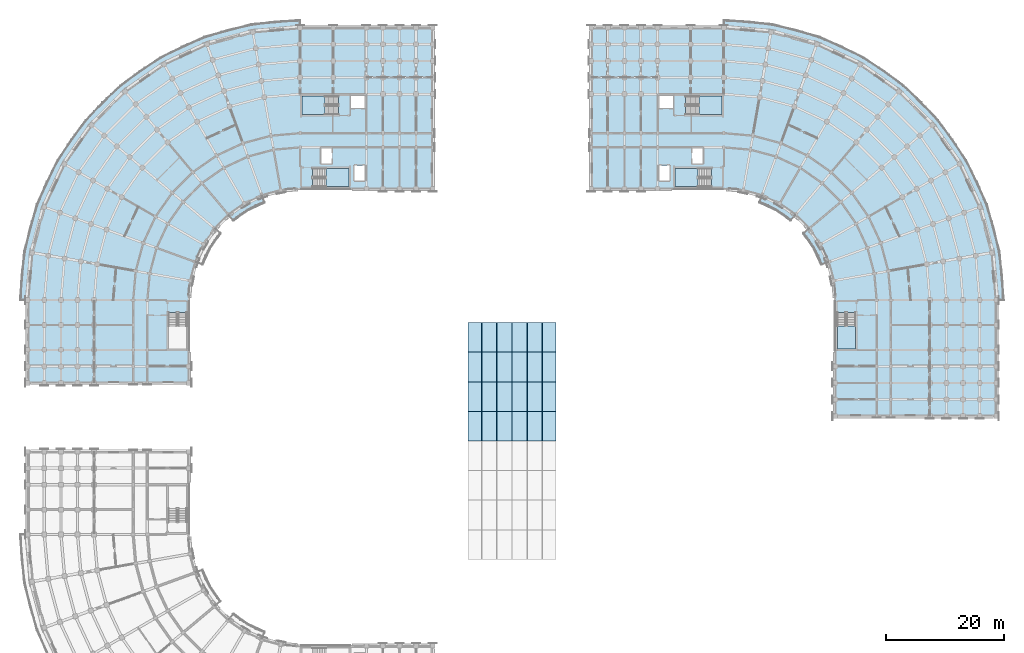
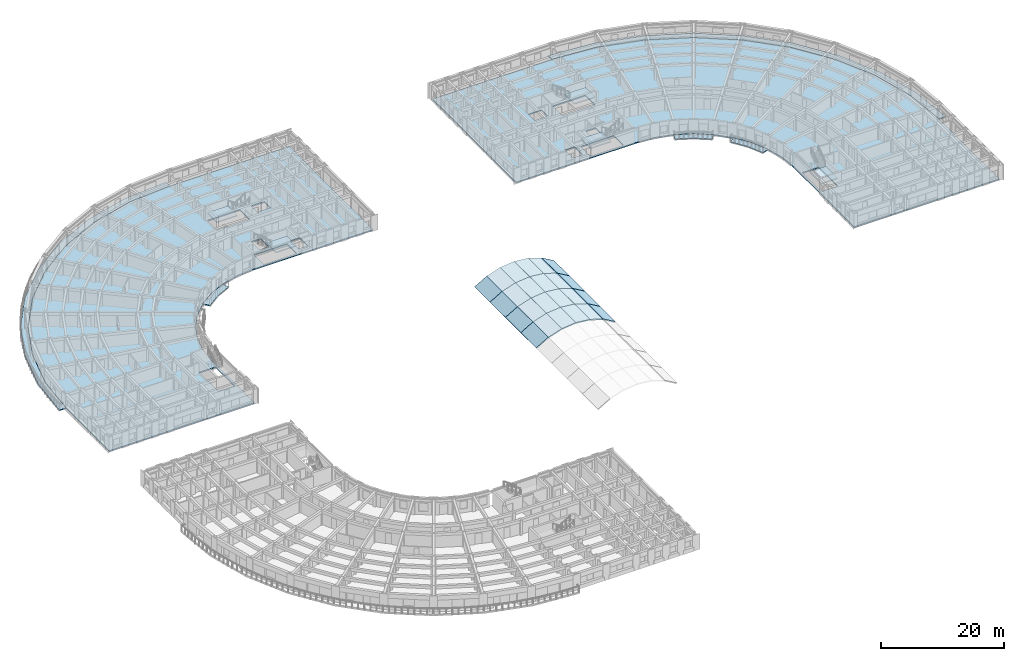
# One storey, part 14 of 54: 36 slabs, 5 elements without a shape of their own.
"""IFC4 building model written with IfcOpenShell, lengths in metres."""

from ifc_helpers import new_model, si_unit, direction, frame, origin, place, context, subcontext, project, spatial, polyline, outline, extrude, material, layer, layer_set, type_object, element, aggregate, save


model = new_model("IFC4")

# Units and contexts
model_context = context("Model", 3, precision=1e-05, world=origin(), true_north=direction((0.0, 1.0)))
body_context = subcontext(model_context, "Body", "Model", "MODEL_VIEW")
ifc_project = project(units=[si_unit("LENGTHUNIT", "METRE"), si_unit("AREAUNIT", "SQUARE_METRE"), si_unit("VOLUMEUNIT", "CUBIC_METRE"), si_unit("PLANEANGLEUNIT", "RADIAN"), si_unit("MASSUNIT", "GRAM", prefix="KILO")], contexts=[model_context])

# Site, building, storey
site_placement = place(None, origin())
site = spatial("IfcSite", under=ifc_project, at=site_placement, CompositionType="ELEMENT")
building_placement = place(site_placement, origin())
building = spatial("IfcBuilding", under=site, at=building_placement, Name="Kiranvali Square Residences", CompositionType="ELEMENT")
storey_placement = place(building_placement, frame((0.0, 0.0, 15.0)))
storey = spatial("IfcBuildingStorey", under=building, at=storey_placement, Name="L04", CompositionType="ELEMENT", Elevation=15.0)

# Slabs
ifc_material_1 = material(Name="Concrete M35 (35 MPa)", Category="concrete")
ifc_layer_1 = layer(ifc_material_1, 0.179931640625)
ifc_layer_set_1 = layer_set([ifc_layer_1], Name="Concrete M35 (35 MPa)")
slab_type_1 = type_object("IfcSlabType", Name="SLB-BAL-180", PredefinedType="FLOOR", material=ifc_layer_set_1)
slab_1_placement = place(storey_placement, frame((0.0, 0.0, -0.179931640625)))
element("IfcSlab", 1, at=slab_1_placement, inside=storey, type_object=slab_type_1, Name="Block A L04 continuous curved corner balcony slab", PredefinedType="FLOOR", context=body_context, shape_type="SweptSolid", body=[
    extrude(outline(polyline([(48.199951171875, 135.050048828125), (39.9951171875, 134.332275390625), (32.03955078125, 132.200439453125), (24.574951171875, 128.7197265625), (17.828369140625, 123.99560546875), (12.00439453125, 118.171630859375), (7.2802734375, 111.425048828125), (3.799560546875, 103.96044921875), (1.667724609375, 96.0048828125), (0.949951171875, 87.800048828125), (2.199951171875, 87.800048828125), (2.89892578125, 95.787841796875), (4.97412109375, 103.532958984375), (8.36279296875, 110.800048828125), (12.9619140625, 117.3681640625), (18.6318359375, 123.0380859375), (25.199951171875, 127.63720703125), (32.467041015625, 131.02587890625), (40.212158203125, 133.10107421875), (48.199951171875, 133.800048828125), (48.199951171875, 135.050048828125)])), origin(), (0.0, 0.0, 1.0), 0.179931640625),
])
slab_2_placement = place(storey_placement, frame((0.0, 0.0, -0.179931640625)))
element("IfcSlab", 2, at=slab_2_placement, inside=storey, type_object=slab_type_1, Name="Block B L04 continuous curved corner balcony slab", PredefinedType="FLOOR", context=body_context, shape_type="SweptSolid", body=[
    extrude(outline(polyline([(119.800048828125, 133.800048828125), (127.787841796875, 133.10107421875), (135.532958984375, 131.02587890625), (142.800048828125, 127.63720703125), (149.3681640625, 123.0380859375), (155.0380859375, 117.3681640625), (159.63720703125, 110.800048828125), (163.02587890625, 103.532958984375), (165.10107421875, 95.787841796875), (165.800048828125, 87.800048828125), (167.050048828125, 87.800048828125), (166.332275390625, 96.0048828125), (164.200439453125, 103.96044921875), (160.7197265625, 111.425048828125), (155.99560546875, 118.171630859375), (150.171630859375, 123.99560546875), (143.425048828125, 128.7197265625), (135.96044921875, 132.200439453125), (128.0048828125, 134.332275390625), (119.800048828125, 135.050048828125), (119.800048828125, 133.800048828125)])), origin(), (0.0, 0.0, 1.0), 0.179931640625),
])
ifc_layer_2 = layer(ifc_material_1, 0.219970703125)
ifc_layer_set_2 = layer_set([ifc_layer_2], Name="Concrete M35 (35 MPa)")
slab_type_2 = type_object("IfcSlabType", Name="SLB-FLR-220", PredefinedType="FLOOR", material=ifc_layer_set_2)
slab_3_placement = place(storey_placement, frame((0.0, 0.0, -0.219970703125)))
element("IfcSlab", 3, at=slab_3_placement, inside=storey, type_object=slab_type_2, Name="Block A L04 structural floor slab", PredefinedType="FLOOR", context=body_context, shape_type="SweptSolid", body=[
    extrude(outline(polyline([(70.60009765625, 106.60009765625), (70.60009765625, 133.800048828125), (48.199951171875, 133.800048828125), (40.212158203125, 133.10107421875), (32.467041015625, 131.02587890625), (25.199951171875, 127.63720703125), (18.6318359375, 123.0380859375), (12.9619140625, 117.3681640625), (8.36279296875, 110.800048828125), (4.97412109375, 103.532958984375), (2.89892578125, 95.787841796875), (2.199951171875, 87.800048828125), (2.199951171875, 73.800048828125), (29.39990234375, 73.800048828125), (29.39990234375, 87.800048828125), (29.685546875, 91.064697265625), (30.53369140625, 94.22998046875), (31.918701171875, 97.199951171875), (33.79833984375, 99.884521484375), (36.115478515625, 102.20166015625), (38.800048828125, 104.081298828125), (41.77001953125, 105.46630859375), (44.935302734375, 106.314453125), (48.199951171875, 106.60009765625), (70.60009765625, 106.60009765625)]), holes=[polyline([(56.800048828125, 120.25), (59.25, 120.25), (59.25, 122.25), (56.800048828125, 122.25), (56.800048828125, 120.25)]), polyline([(57.35009765625, 107.949951171875), (59.14990234375, 107.949951171875), (59.14990234375, 110.550048828125), (57.35009765625, 110.550048828125), (57.35009765625, 107.949951171875)]), polyline([(51.75, 110.85009765625), (53.550048828125, 110.85009765625), (53.550048828125, 113.449951171875), (51.75, 113.449951171875), (51.75, 110.85009765625)]), polyline([(54.699951171875, 122.25), (48.550048828125, 122.25), (48.550048828125, 119.14990234375), (54.699951171875, 119.14990234375), (54.699951171875, 122.25)]), polyline([(50.300048828125, 106.949951171875), (56.449951171875, 106.949951171875), (56.449951171875, 110.050048828125), (50.300048828125, 110.050048828125), (50.300048828125, 106.949951171875)]), polyline([(25.949951171875, 85.699951171875), (25.949951171875, 79.550048828125), (29.050048828125, 79.550048828125), (29.050048828125, 85.699951171875), (25.949951171875, 85.699951171875)])]), origin(), (0.0, 0.0, 1.0), 0.219970703125),
])
slab_4_placement = place(storey_placement, frame((0.0, 0.0, -0.219970703125)))
element("IfcSlab", 4, at=slab_4_placement, inside=storey, type_object=slab_type_2, Name="Block B L04 structural floor slab", PredefinedType="FLOOR", context=body_context, shape_type="SweptSolid", body=[
    extrude(outline(polyline([(119.800048828125, 106.60009765625), (123.064697265625, 106.314453125), (126.22998046875, 105.46630859375), (129.199951171875, 104.081298828125), (131.884521484375, 102.20166015625), (134.20166015625, 99.884521484375), (136.081298828125, 97.199951171875), (137.46630859375, 94.22998046875), (138.314453125, 91.064697265625), (138.60009765625, 87.800048828125), (138.60009765625, 68.199951171875), (165.800048828125, 68.199951171875), (165.800048828125, 87.800048828125), (165.10107421875, 95.787841796875), (163.02587890625, 103.532958984375), (159.63720703125, 110.800048828125), (155.0380859375, 117.3681640625), (149.3681640625, 123.0380859375), (142.800048828125, 127.63720703125), (135.532958984375, 131.02587890625), (127.787841796875, 133.10107421875), (119.800048828125, 133.800048828125), (97.39990234375, 133.800048828125), (97.39990234375, 106.60009765625), (119.800048828125, 106.60009765625)]), holes=[polyline([(108.75, 120.25), (111.199951171875, 120.25), (111.199951171875, 122.25), (108.75, 122.25), (108.75, 120.25)]), polyline([(108.85009765625, 107.949951171875), (110.64990234375, 107.949951171875), (110.64990234375, 110.550048828125), (108.85009765625, 110.550048828125), (108.85009765625, 107.949951171875)]), polyline([(114.449951171875, 110.85009765625), (116.25, 110.85009765625), (116.25, 113.449951171875), (114.449951171875, 113.449951171875), (114.449951171875, 110.85009765625)]), polyline([(113.300048828125, 119.14990234375), (119.449951171875, 119.14990234375), (119.449951171875, 122.25), (113.300048828125, 122.25), (113.300048828125, 119.14990234375)]), polyline([(117.699951171875, 110.050048828125), (111.550048828125, 110.050048828125), (111.550048828125, 106.949951171875), (117.699951171875, 106.949951171875), (117.699951171875, 110.050048828125)]), polyline([(138.949951171875, 85.699951171875), (138.949951171875, 79.550048828125), (142.050048828125, 79.550048828125), (142.050048828125, 85.699951171875), (138.949951171875, 85.699951171875)])]), origin(), (0.0, 0.0, 1.0), 0.219970703125),
])
ifc_layer_3 = layer(ifc_material_1, 0.169921875)
ifc_layer_set_3 = layer_set([ifc_layer_3], Name="Concrete M35 (35 MPa)")
slab_type_3 = type_object("IfcSlabType", Name="SLB-GBAL-170", PredefinedType="FLOOR", material=ifc_layer_set_3)
slab_5_placement = place(storey_placement, frame((0.0, 0.0, -0.179931640625)))
element("IfcSlab", 5, at=slab_5_placement, inside=storey, type_object=slab_type_3, Name="Block A L04 garden balcony slab 1", PredefinedType="FLOOR", context=body_context, shape_type="SweptSolid", body=[
    extrude(outline(polyline([(41.77001953125, 105.46630859375), (38.800048828125, 104.081298828125), (36.115478515625, 102.20166015625), (36.919189453125, 101.244140625), (39.425048828125, 102.998779296875), (42.197509765625, 104.29150390625), (41.77001953125, 105.46630859375)])), origin(), (0.0, 0.0, 1.0), 0.179931640625),
])
slab_6_placement = place(storey_placement, frame((0.0, 0.0, -0.179931640625)))
element("IfcSlab", 6, at=slab_6_placement, inside=storey, type_object=slab_type_3, Name="Block B L04 garden balcony slab 1", PredefinedType="FLOOR", context=body_context, shape_type="SweptSolid", body=[
    extrude(outline(polyline([(125.802490234375, 104.29150390625), (128.574951171875, 102.998779296875), (131.080810546875, 101.244140625), (131.884521484375, 102.20166015625), (129.199951171875, 104.081298828125), (126.22998046875, 105.46630859375), (125.802490234375, 104.29150390625)])), origin(), (0.0, 0.0, 1.0), 0.179931640625),
])
slab_7_placement = place(storey_placement, frame((0.0, 0.0, -0.179931640625)))
element("IfcSlab", 7, at=slab_7_placement, inside=storey, type_object=slab_type_3, Name="Block B L04 garden balcony slab 2", PredefinedType="FLOOR", context=body_context, shape_type="SweptSolid", body=[
    extrude(outline(polyline([(133.244140625, 99.080810546875), (134.998779296875, 96.574951171875), (136.29150390625, 93.802490234375), (137.46630859375, 94.22998046875), (136.081298828125, 97.199951171875), (134.20166015625, 99.884521484375), (133.244140625, 99.080810546875)])), origin(), (0.0, 0.0, 1.0), 0.179931640625),
])

# Stair, slab
stair_type = type_object("IfcStairType", Name="ST-CORE-1700", PredefinedType="HALF_TURN_STAIR", material=ifc_material_1)
stair_1_placement = place(storey_placement, origin())
stair_1 = element("IfcStair", 8, at=stair_1_placement, inside=storey, type_object=stair_type, Name="L04 Block A Firefighting Exit Stair 1", PredefinedType="HALF_TURN_STAIR")
ifc_layer_4 = layer(ifc_material_1, 0.199951171875)
ifc_layer_set_4 = layer_set([ifc_layer_4], Name="Concrete M35 (35 MPa)")
slab_type_4 = type_object("IfcSlabType", Name="SLB-LND-200", PredefinedType="LANDING", material=ifc_layer_set_4)
slab_8_placement = place(storey_placement, frame((0.0, 0.0, 1.375)))
slab_8 = element("IfcSlab", 9, at=slab_8_placement, type_object=slab_type_4, Name="ST-A1 landing 1", PredefinedType="LANDING", context=body_context, shape_type="SweptSolid", body=[
    extrude(outline(polyline([(52.419921875, 122.25), (48.550048828125, 122.25), (48.550048828125, 119.14990234375), (52.419921875, 119.14990234375), (52.419921875, 122.25)])), origin(), (0.0, 0.0, 1.0), 0.199951171875),
])
aggregate(stair_1, [slab_8])

stair_2_placement = place(storey_placement, origin())
stair_2 = element("IfcStair", 10, at=stair_2_placement, inside=storey, type_object=stair_type, Name="L04 Block A Protected Exit Stair 2", PredefinedType="HALF_TURN_STAIR")
slab_9_placement = place(storey_placement, frame((0.0, 0.0, 1.375)))
slab_9 = element("IfcSlab", 11, at=slab_9_placement, type_object=slab_type_4, Name="ST-A2 landing 1", PredefinedType="LANDING", context=body_context, shape_type="SweptSolid", body=[
    extrude(outline(polyline([(52.580078125, 106.949951171875), (56.449951171875, 106.949951171875), (56.449951171875, 110.050048828125), (52.580078125, 110.050048828125), (52.580078125, 106.949951171875)])), origin(), (0.0, 0.0, 1.0), 0.199951171875),
])
aggregate(stair_2, [slab_9])

stair_3_placement = place(storey_placement, origin())
stair_3 = element("IfcStair", 12, at=stair_3_placement, inside=storey, type_object=stair_type, Name="L04 Block B Firefighting Exit Stair 1", PredefinedType="HALF_TURN_STAIR")
slab_10_placement = place(storey_placement, frame((0.0, 0.0, 1.375)))
slab_10 = element("IfcSlab", 13, at=slab_10_placement, type_object=slab_type_4, Name="ST-B1 landing 1", PredefinedType="LANDING", context=body_context, shape_type="SweptSolid", body=[
    extrude(outline(polyline([(115.580078125, 119.14990234375), (119.449951171875, 119.14990234375), (119.449951171875, 122.25), (115.580078125, 122.25), (115.580078125, 119.14990234375)])), origin(), (0.0, 0.0, 1.0), 0.199951171875),
])
aggregate(stair_3, [slab_10])

stair_4_placement = place(storey_placement, origin())
stair_4 = element("IfcStair", 14, at=stair_4_placement, inside=storey, type_object=stair_type, Name="L04 Block B Protected Exit Stair 2", PredefinedType="HALF_TURN_STAIR")
slab_11_placement = place(storey_placement, frame((0.0, 0.0, 1.375)))
slab_11 = element("IfcSlab", 15, at=slab_11_placement, type_object=slab_type_4, Name="ST-B2 landing 1", PredefinedType="LANDING", context=body_context, shape_type="SweptSolid", body=[
    extrude(outline(polyline([(115.419921875, 110.050048828125), (111.550048828125, 110.050048828125), (111.550048828125, 106.949951171875), (115.419921875, 106.949951171875), (115.419921875, 110.050048828125)])), origin(), (0.0, 0.0, 1.0), 0.199951171875),
])
aggregate(stair_4, [slab_11])

stair_5_placement = place(storey_placement, origin())
stair_5 = element("IfcStair", 16, at=stair_5_placement, inside=storey, type_object=stair_type, Name="L04 Block B Wing Protected Exit Stair 3", PredefinedType="HALF_TURN_STAIR")
slab_12_placement = place(storey_placement, frame((0.0, 0.0, 1.375)))
slab_12 = element("IfcSlab", 17, at=slab_12_placement, type_object=slab_type_4, Name="ST-B3 landing 1", PredefinedType="LANDING", context=body_context, shape_type="SweptSolid", body=[
    extrude(outline(polyline([(138.949951171875, 83.419921875), (138.949951171875, 79.550048828125), (142.050048828125, 79.550048828125), (142.050048828125, 83.419921875), (138.949951171875, 83.419921875)])), origin(), (0.0, 0.0, 1.0), 0.199951171875),
])
aggregate(stair_5, [slab_12])

# Slabs
ifc_material_2 = material(Name="Concrete M45 (45 MPa)", Category="concrete")
ifc_layer_5 = layer(ifc_material_2, 0.199951171875)
ifc_layer_set_5 = layer_set([ifc_layer_5], Name="Concrete M45 (45 MPa)")
slab_type_5 = type_object("IfcSlabType", Name="SLB-VLT-200", PredefinedType="ROOF", material=ifc_layer_set_5)
slab_13_placement = place(storey_placement, frame((76.56298828125, 64.0, 0.266357421875), z_axis=(-0.503112071753, 0.0, 0.864221177278), x_axis=(0.864221177278, 0.0, 0.503112071753)))
element("IfcSlab", 18, at=slab_13_placement, inside=storey, type_object=slab_type_5, Name="Community Hall barrel-vault shell strip 5.4", PredefinedType="ROOF", context=body_context, shape_type="SweptSolid", body=[
    extrude(outline(polyline([(0.0, 0.0), (2.6407899071479464, 0.0), (2.6407899071479464, 5.0), (0.0, 5.0), (0.0, 0.0)])), origin(), (0.0, 0.0, -1.0), 0.199951171875),
])
slab_14_placement = place(storey_placement, frame((78.852294921875, 64.0, 1.598388671875), z_axis=(-0.311092199695, 0.0, 0.950379736363), x_axis=(0.950379736363, 0.0, 0.311092199695)))
element("IfcSlab", 19, at=slab_14_placement, inside=storey, type_object=slab_type_5, Name="Community Hall barrel-vault shell strip 5.5", PredefinedType="ROOF", context=body_context, shape_type="SweptSolid", body=[
    extrude(outline(polyline([(0.0, 0.0), (2.640802964302423, 0.0), (2.640802964302423, 5.0), (0.0, 5.0), (0.0, 0.0)])), origin(), (0.0, 0.0, -1.0), 0.199951171875),
])
for number, where, z_axis, x_axis, name in (
    (20, (81.369873046875, 64.0, 2.421630859375), (-0.105204498733, 0.0, 0.994450608852), (0.994450608852, 0.0, 0.105204498733), "Community Hall barrel-vault shell strip 5.6"),
    (21, (84.00390625, 64.0, 2.699462890625), (0.105204498733, 0.0, 0.994450608852), (0.994450608852, 0.0, -0.105204498733), "Community Hall barrel-vault shell strip 5.7"),
):
    element("IfcSlab", number, at=place(storey_placement, frame(where, z_axis=z_axis, x_axis=x_axis)), inside=storey, type_object=slab_type_5, Name=name, PredefinedType="ROOF", context=body_context, shape_type="SweptSolid", body=[
        extrude(outline(polyline([(0.0, 0.0), (2.640875956782308, 0.0), (2.640875956782308, 5.0), (0.0, 5.0), (0.0, 0.0)])), origin(), (0.0, 0.0, -1.0), 0.199951171875),
    ])
slab_15_placement = place(storey_placement, frame((86.637939453125, 64.0, 2.419921875), z_axis=(0.311092199695, 0.0, 0.950379736363), x_axis=(0.950379736363, 0.0, -0.311092199695)))
element("IfcSlab", 22, at=slab_15_placement, inside=storey, type_object=slab_type_5, Name="Community Hall barrel-vault shell strip 5.8", PredefinedType="ROOF", context=body_context, shape_type="SweptSolid", body=[
    extrude(outline(polyline([(0.0, 0.0), (2.640802964302423, 0.0), (2.640802964302423, 5.0), (0.0, 5.0), (0.0, 0.0)])), origin(), (0.0, 0.0, -1.0), 0.199951171875),
])
for number, where, z_axis, x_axis, name in (
    (23, (89.15478515625, 64.0, 1.594970703125), (0.503112071753, 0.0, 0.864221177278), (0.864221177278, 0.0, -0.503112071753), "Community Hall barrel-vault shell strip 5.9"),
    (24, (76.56298828125, 69.0, 0.266357421875), (-0.503112071753, 0.0, 0.864221177278), (0.864221177278, 0.0, 0.503112071753), "Community Hall barrel-vault shell strip 6.4"),
):
    element("IfcSlab", number, at=place(storey_placement, frame(where, z_axis=z_axis, x_axis=x_axis)), inside=storey, type_object=slab_type_5, Name=name, PredefinedType="ROOF", context=body_context, shape_type="SweptSolid", body=[
        extrude(outline(polyline([(0.0, 0.0), (2.6407899071479464, 0.0), (2.6407899071479464, 5.0), (0.0, 5.0), (0.0, 0.0)])), origin(), (0.0, 0.0, -1.0), 0.199951171875),
    ])
slab_16_placement = place(storey_placement, frame((78.852294921875, 69.0, 1.598388671875), z_axis=(-0.311092199695, 0.0, 0.950379736363), x_axis=(0.950379736363, 0.0, 0.311092199695)))
element("IfcSlab", 25, at=slab_16_placement, inside=storey, type_object=slab_type_5, Name="Community Hall barrel-vault shell strip 6.5", PredefinedType="ROOF", context=body_context, shape_type="SweptSolid", body=[
    extrude(outline(polyline([(0.0, 0.0), (2.640802964302423, 0.0), (2.640802964302423, 5.0), (0.0, 5.0), (0.0, 0.0)])), origin(), (0.0, 0.0, -1.0), 0.199951171875),
])
for number, where, z_axis, x_axis, name in (
    (26, (81.369873046875, 69.0, 2.421630859375), (-0.105204498733, 0.0, 0.994450608852), (0.994450608852, 0.0, 0.105204498733), "Community Hall barrel-vault shell strip 6.6"),
    (27, (84.00390625, 69.0, 2.699462890625), (0.105204498733, 0.0, 0.994450608852), (0.994450608852, 0.0, -0.105204498733), "Community Hall barrel-vault shell strip 6.7"),
):
    element("IfcSlab", number, at=place(storey_placement, frame(where, z_axis=z_axis, x_axis=x_axis)), inside=storey, type_object=slab_type_5, Name=name, PredefinedType="ROOF", context=body_context, shape_type="SweptSolid", body=[
        extrude(outline(polyline([(0.0, 0.0), (2.640875956782308, 0.0), (2.640875956782308, 5.0), (0.0, 5.0), (0.0, 0.0)])), origin(), (0.0, 0.0, -1.0), 0.199951171875),
    ])
slab_17_placement = place(storey_placement, frame((86.637939453125, 69.0, 2.419921875), z_axis=(0.311092199695, 0.0, 0.950379736363), x_axis=(0.950379736363, 0.0, -0.311092199695)))
element("IfcSlab", 28, at=slab_17_placement, inside=storey, type_object=slab_type_5, Name="Community Hall barrel-vault shell strip 6.8", PredefinedType="ROOF", context=body_context, shape_type="SweptSolid", body=[
    extrude(outline(polyline([(0.0, 0.0), (2.640802964302423, 0.0), (2.640802964302423, 5.0), (0.0, 5.0), (0.0, 0.0)])), origin(), (0.0, 0.0, -1.0), 0.199951171875),
])
for number, where, z_axis, x_axis, name in (
    (29, (89.15478515625, 69.0, 1.594970703125), (0.503112071753, 0.0, 0.864221177278), (0.864221177278, 0.0, -0.503112071753), "Community Hall barrel-vault shell strip 6.9"),
    (30, (76.56298828125, 74.0, 0.266357421875), (-0.503112071753, 0.0, 0.864221177278), (0.864221177278, 0.0, 0.503112071753), "Community Hall barrel-vault shell strip 7.4"),
):
    element("IfcSlab", number, at=place(storey_placement, frame(where, z_axis=z_axis, x_axis=x_axis)), inside=storey, type_object=slab_type_5, Name=name, PredefinedType="ROOF", context=body_context, shape_type="SweptSolid", body=[
        extrude(outline(polyline([(0.0, 0.0), (2.6407899071479464, 0.0), (2.6407899071479464, 5.0), (0.0, 5.0), (0.0, 0.0)])), origin(), (0.0, 0.0, -1.0), 0.199951171875),
    ])
slab_18_placement = place(storey_placement, frame((78.852294921875, 74.0, 1.598388671875), z_axis=(-0.311092199695, 0.0, 0.950379736363), x_axis=(0.950379736363, 0.0, 0.311092199695)))
element("IfcSlab", 31, at=slab_18_placement, inside=storey, type_object=slab_type_5, Name="Community Hall barrel-vault shell strip 7.5", PredefinedType="ROOF", context=body_context, shape_type="SweptSolid", body=[
    extrude(outline(polyline([(0.0, 0.0), (2.640802964302423, 0.0), (2.640802964302423, 5.0), (0.0, 5.0), (0.0, 0.0)])), origin(), (0.0, 0.0, -1.0), 0.199951171875),
])
for number, where, z_axis, x_axis, name in (
    (32, (81.369873046875, 74.0, 2.421630859375), (-0.105204498733, 0.0, 0.994450608852), (0.994450608852, 0.0, 0.105204498733), "Community Hall barrel-vault shell strip 7.6"),
    (33, (84.00390625, 74.0, 2.699462890625), (0.105204498733, 0.0, 0.994450608852), (0.994450608852, 0.0, -0.105204498733), "Community Hall barrel-vault shell strip 7.7"),
):
    element("IfcSlab", number, at=place(storey_placement, frame(where, z_axis=z_axis, x_axis=x_axis)), inside=storey, type_object=slab_type_5, Name=name, PredefinedType="ROOF", context=body_context, shape_type="SweptSolid", body=[
        extrude(outline(polyline([(0.0, 0.0), (2.640875956782308, 0.0), (2.640875956782308, 5.0), (0.0, 5.0), (0.0, 0.0)])), origin(), (0.0, 0.0, -1.0), 0.199951171875),
    ])
slab_19_placement = place(storey_placement, frame((86.637939453125, 74.0, 2.419921875), z_axis=(0.311092199695, 0.0, 0.950379736363), x_axis=(0.950379736363, 0.0, -0.311092199695)))
element("IfcSlab", 34, at=slab_19_placement, inside=storey, type_object=slab_type_5, Name="Community Hall barrel-vault shell strip 7.8", PredefinedType="ROOF", context=body_context, shape_type="SweptSolid", body=[
    extrude(outline(polyline([(0.0, 0.0), (2.640802964302423, 0.0), (2.640802964302423, 5.0), (0.0, 5.0), (0.0, 0.0)])), origin(), (0.0, 0.0, -1.0), 0.199951171875),
])
for number, where, z_axis, x_axis, name in (
    (35, (89.15478515625, 74.0, 1.594970703125), (0.503112071753, 0.0, 0.864221177278), (0.864221177278, 0.0, -0.503112071753), "Community Hall barrel-vault shell strip 7.9"),
    (36, (76.56298828125, 79.0, 0.266357421875), (-0.503112071753, 0.0, 0.864221177278), (0.864221177278, 0.0, 0.503112071753), "Community Hall barrel-vault shell strip 8.4"),
):
    element("IfcSlab", number, at=place(storey_placement, frame(where, z_axis=z_axis, x_axis=x_axis)), inside=storey, type_object=slab_type_5, Name=name, PredefinedType="ROOF", context=body_context, shape_type="SweptSolid", body=[
        extrude(outline(polyline([(0.0, 0.0), (2.6407899071479464, 0.0), (2.6407899071479464, 5.0), (0.0, 5.0), (0.0, 0.0)])), origin(), (0.0, 0.0, -1.0), 0.199951171875),
    ])
slab_20_placement = place(storey_placement, frame((78.852294921875, 79.0, 1.598388671875), z_axis=(-0.311092199695, 0.0, 0.950379736363), x_axis=(0.950379736363, 0.0, 0.311092199695)))
element("IfcSlab", 37, at=slab_20_placement, inside=storey, type_object=slab_type_5, Name="Community Hall barrel-vault shell strip 8.5", PredefinedType="ROOF", context=body_context, shape_type="SweptSolid", body=[
    extrude(outline(polyline([(0.0, 0.0), (2.640802964302423, 0.0), (2.640802964302423, 5.0), (0.0, 5.0), (0.0, 0.0)])), origin(), (0.0, 0.0, -1.0), 0.199951171875),
])
for number, where, z_axis, x_axis, name in (
    (38, (81.369873046875, 79.0, 2.421630859375), (-0.105204498733, 0.0, 0.994450608852), (0.994450608852, 0.0, 0.105204498733), "Community Hall barrel-vault shell strip 8.6"),
    (39, (84.00390625, 79.0, 2.699462890625), (0.105204498733, 0.0, 0.994450608852), (0.994450608852, 0.0, -0.105204498733), "Community Hall barrel-vault shell strip 8.7"),
):
    element("IfcSlab", number, at=place(storey_placement, frame(where, z_axis=z_axis, x_axis=x_axis)), inside=storey, type_object=slab_type_5, Name=name, PredefinedType="ROOF", context=body_context, shape_type="SweptSolid", body=[
        extrude(outline(polyline([(0.0, 0.0), (2.640875956782308, 0.0), (2.640875956782308, 5.0), (0.0, 5.0), (0.0, 0.0)])), origin(), (0.0, 0.0, -1.0), 0.199951171875),
    ])
slab_21_placement = place(storey_placement, frame((86.637939453125, 79.0, 2.419921875), z_axis=(0.311092199695, 0.0, 0.950379736363), x_axis=(0.950379736363, 0.0, -0.311092199695)))
element("IfcSlab", 40, at=slab_21_placement, inside=storey, type_object=slab_type_5, Name="Community Hall barrel-vault shell strip 8.8", PredefinedType="ROOF", context=body_context, shape_type="SweptSolid", body=[
    extrude(outline(polyline([(0.0, 0.0), (2.640802964302423, 0.0), (2.640802964302423, 5.0), (0.0, 5.0), (0.0, 0.0)])), origin(), (0.0, 0.0, -1.0), 0.199951171875),
])
slab_22_placement = place(storey_placement, frame((89.15478515625, 79.0, 1.594970703125), z_axis=(0.503112071753, 0.0, 0.864221177278), x_axis=(0.864221177278, 0.0, -0.503112071753)))
element("IfcSlab", 41, at=slab_22_placement, inside=storey, type_object=slab_type_5, Name="Community Hall barrel-vault shell strip 8.9", PredefinedType="ROOF", context=body_context, shape_type="SweptSolid", body=[
    extrude(outline(polyline([(0.0, 0.0), (2.6407899071479464, 0.0), (2.6407899071479464, 5.0), (0.0, 5.0), (0.0, 0.0)])), origin(), (0.0, 0.0, -1.0), 0.199951171875),
])

save(model, "model.ifc")
